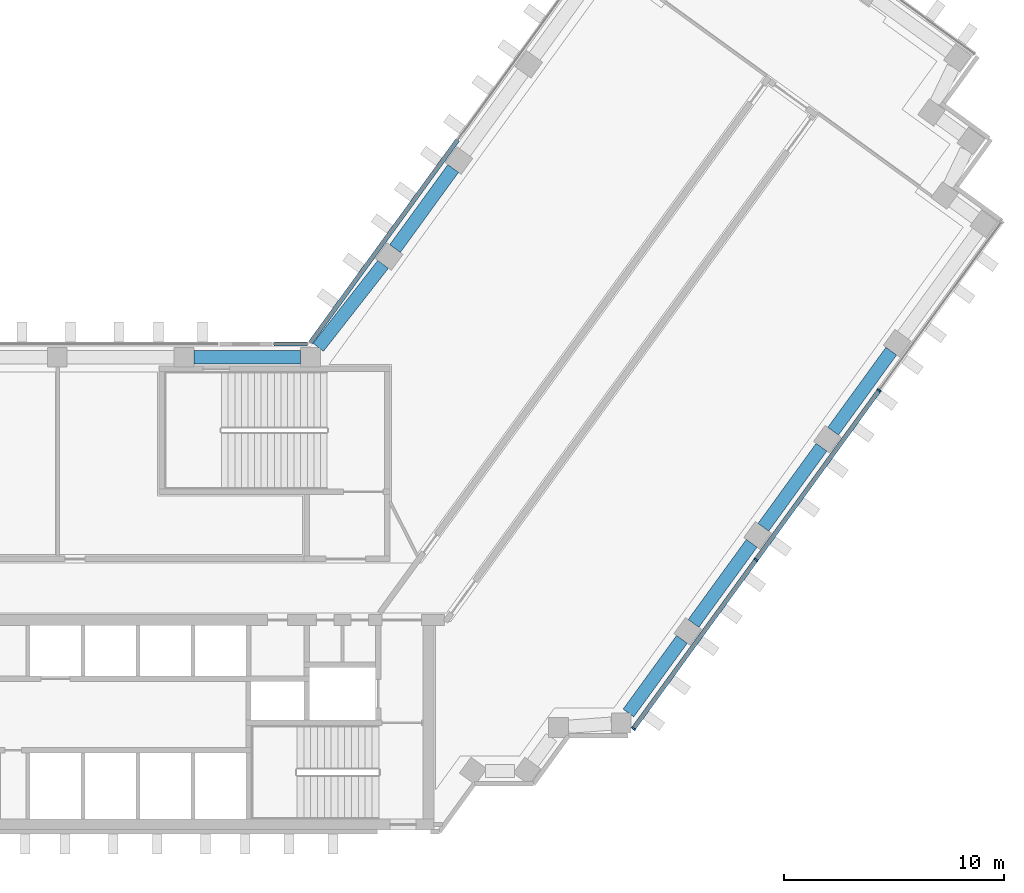
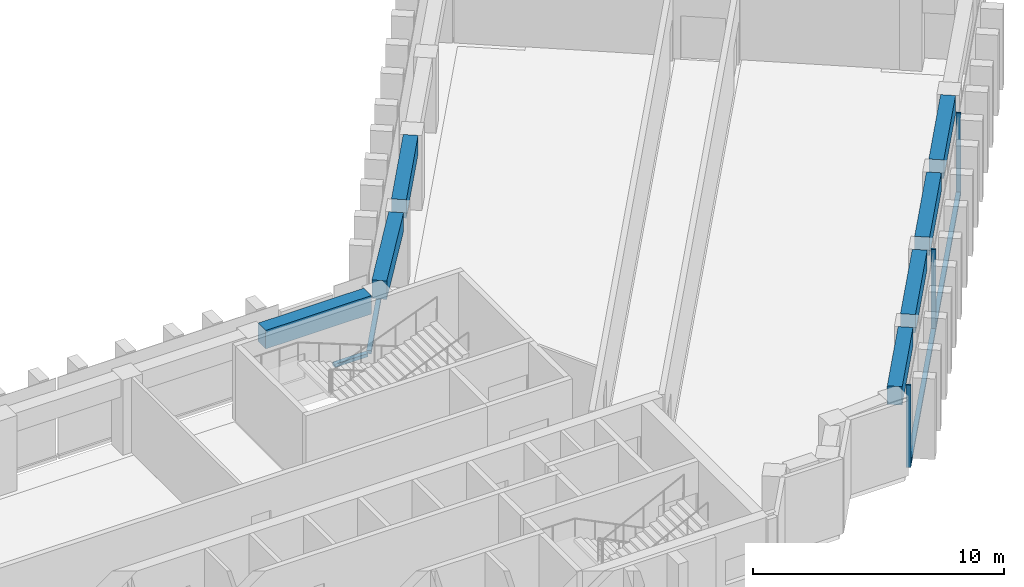
"""IFC4 building model written with IfcOpenShell, lengths in metres."""

from ifc_helpers import new_model, si_unit, direction, frame, origin, origin_2d, place, context, subcontext, project, spatial, rectangle, extrude, material, material_profile, profile_set, type_object, element, aggregate, save


model = new_model("IFC4")

# Units and contexts
model_context = context("Model", 3, precision=1e-05, world=origin(), true_north=direction((0.0, 1.0)))
body_context = subcontext(model_context, "Body", "Model", "MODEL_VIEW")
ifc_project = project(units=[si_unit("LENGTHUNIT", "METRE"), si_unit("AREAUNIT", "SQUARE_METRE"), si_unit("VOLUMEUNIT", "CUBIC_METRE"), si_unit("PLANEANGLEUNIT", "RADIAN"), si_unit("MASSUNIT", "GRAM", prefix="KILO")], contexts=[model_context])

# Site, building, storey
site_placement = place(None, origin())
site = spatial("IfcSite", under=ifc_project, at=site_placement, CompositionType="ELEMENT")
building_placement = place(site_placement, origin())
building = spatial("IfcBuilding", under=site, at=building_placement, Name="Quipu Civic Tower", CompositionType="ELEMENT")
storey_1_placement = place(building_placement, frame((0.0, 0.0, 85.0)))
storey_1 = spatial("IfcBuildingStorey", under=building, at=storey_1_placement, Name="L19", CompositionType="ELEMENT", Elevation=85.0)

# Curtain wall, members
ifc_material_1 = material(Name="Insulated glass unit", Category="glass")
curtain_wall_type = type_object("IfcCurtainWallType", Name="Office curtain wall CW1", PredefinedType="NOTDEFINED", material=ifc_material_1)
curtain_wall_1_placement = place(storey_1_placement, origin())
curtain_wall_1 = element("IfcCurtainWall", 1, at=curtain_wall_1_placement, inside=storey_1, type_object=curtain_wall_type, Name="Office curtain wall CW1 L19 run 1", PredefinedType="NOTDEFINED")
ifc_material_2 = material(Name="Anodised aluminium", Category="aluminium")
ifc_material_profile_1 = material_profile(ifc_material_2, rectangle(XDim=0.199951171875, YDim=0.080078125, at=origin_2d()), Name="RECT 200x80")
ifc_profile_set_1 = profile_set([ifc_material_profile_1], Name="Anodised aluminium")
member_type_1 = type_object("IfcMemberType", Name="Mullion CW1", PredefinedType="MULLION", material=ifc_profile_set_1)
member_1_placement = place(storey_1_placement, frame((29.079345703125, -6.3876953125, 0.080078125), z_axis=(0.0, 0.0, 1.0), x_axis=(-0.809016904652, 0.587785375786, 0.0)))
member_1 = element("IfcMember", 2, at=member_1_placement, type_object=member_type_1, Name="CW1 mullion 1", PredefinedType="MULLION", context=body_context, shape_type="SweptSolid", body=[
    extrude(rectangle(XDim=0.199951171875, YDim=0.080078125, at=origin_2d()), origin(), (0.0, 0.0, 1.0), 4.0),
])
member_2_placement = place(storey_1_placement, frame((34.65380859375, 1.28466796875, 0.080078125), z_axis=(0.0, 0.0, 1.0), x_axis=(-0.809016904652, 0.587785375786, 0.0)))
member_2 = element("IfcMember", 3, at=member_2_placement, type_object=member_type_1, Name="CW1 mullion 2", PredefinedType="MULLION", context=body_context, shape_type="SweptSolid", body=[
    extrude(rectangle(XDim=0.199951171875, YDim=0.080078125, at=origin_2d()), origin(), (0.0, 0.0, 1.0), 4.0),
])
member_3_placement = place(storey_1_placement, frame((40.251708984375, 8.989501953125, 0.080078125), z_axis=(0.0, 0.0, 1.0), x_axis=(-0.809016904652, 0.587785375786, 0.0)))
member_3 = element("IfcMember", 4, at=member_3_placement, type_object=member_type_1, Name="CW1 mullion 3", PredefinedType="MULLION", context=body_context, shape_type="SweptSolid", body=[
    extrude(rectangle(XDim=0.199951171875, YDim=0.080078125, at=origin_2d()), origin(), (0.0, 0.0, 1.0), 4.0),
])

# Beams
ifc_material_3 = material(Name="Concrete C50/60", Category="concrete")
ifc_material_profile_2 = material_profile(ifc_material_3, rectangle(XDim=0.60009765625, YDim=0.89990234375, at=origin_2d()), Name="RC600x900")
ifc_profile_set_2 = profile_set([ifc_material_profile_2], Name="Concrete C50/60")
beam_type = type_object("IfcBeamType", Name="Spandrel beam RC 600x900 C50/60", PredefinedType="SPANDREL", material=ifc_profile_set_2)
beam_1_placement = place(storey_1_placement, frame((28.85205078125, -5.679931640625, 3.199951171875), z_axis=(0.587750565781, 0.809042194464, 0.0), x_axis=(-0.809042194464, 0.587750565781, 0.0)))
element("IfcBeam", 5, at=beam_1_placement, inside=storey_1, type_object=beam_type, Name="Spandrel beam L19 J-Eo.4 to E-OUT-01", PredefinedType="SPANDREL", context=body_context, shape_type="SweptSolid", body=[
    extrude(rectangle(XDim=0.60009765625, YDim=0.89990234375, at=origin_2d()), origin(), (0.0, 0.0, 1.0), 4.13720703125),
])
beam_2_placement = place(storey_1_placement, frame((31.812744140625, -1.604736328125, 3.199951171875), z_axis=(0.587778073121, 0.809022210299, 0.0), x_axis=(-0.809022210299, 0.587778073121, 0.0)))
element("IfcBeam", 6, at=beam_2_placement, inside=storey_1, type_object=beam_type, Name="Spandrel beam L19 E-OUT-01 to E-OUT-02", PredefinedType="SPANDREL", context=body_context, shape_type="SweptSolid", body=[
    extrude(rectangle(XDim=0.60009765625, YDim=0.89990234375, at=origin_2d()), origin(), (0.0, 0.0, 1.0), 4.5),
])
beam_3_placement = place(storey_1_placement, frame((34.98681640625, 2.76416015625, 3.199951171875), z_axis=(0.587803872688, 0.809003465539, 0.0), x_axis=(-0.809003465539, 0.587803872688, 0.0)))
element("IfcBeam", 7, at=beam_3_placement, inside=storey_1, type_object=beam_type, Name="Spandrel beam L19 E-OUT-02 to E-OUT-03", PredefinedType="SPANDREL", context=body_context, shape_type="SweptSolid", body=[
    extrude(rectangle(XDim=0.60009765625, YDim=0.89990234375, at=origin_2d()), origin(), (0.0, 0.0, 1.0), 4.499755859375),
])
for number, where, z_axis, x_axis, name in (
    (8, (38.160888671875, 7.1328125, 3.199951171875), (0.587778073121, 0.809022210299, 0.0), (-0.809022210299, 0.587778073121, 0.0), "Spandrel beam L19 E-OUT-03 to E-OUT-04"),
    (9, (20.8828125, 19.079833984375, 3.199951171875), (-0.587716763865, -0.809066749701, 0.0), (0.809066749701, -0.587716763865, 0.0), "Spandrel beam L19 E-IN-02 to E-IN-01"),
):
    element("IfcBeam", number, at=place(storey_1_placement, frame(where, z_axis=z_axis, x_axis=x_axis)), inside=storey_1, type_object=beam_type, Name=name, PredefinedType="SPANDREL", context=body_context, shape_type="SweptSolid", body=[
        extrude(rectangle(XDim=0.60009765625, YDim=0.89990234375, at=origin_2d()), origin(), (0.0, 0.0, 1.0), 4.5),
    ])
beam_4_placement = place(storey_1_placement, frame((17.6962890625, 14.72021484375, 3.199951171875), z_axis=(-0.616123961998, -0.787649200756, 0.0), x_axis=(0.787649200756, -0.616123961998, 0.0)))
element("IfcBeam", 10, at=beam_4_placement, inside=storey_1, type_object=beam_type, Name="Spandrel beam L19 E-IN-01 to J-Ei.0", PredefinedType="SPANDREL", context=body_context, shape_type="SweptSolid", body=[
    extrude(rectangle(XDim=0.60009765625, YDim=0.89990234375, at=origin_2d()), origin(), (0.0, 0.0, 1.0), 4.78662109375),
])
beam_5_placement = place(storey_1_placement, frame((13.9453125, 10.5, 3.199951171875), z_axis=(-1.0, 0.0, 0.0), x_axis=(0.0, -1.0, 0.0)))
element("IfcBeam", 11, at=beam_5_placement, inside=storey_1, type_object=beam_type, Name="Spandrel beam L19 J-Ei.0 to FRONT-01", PredefinedType="SPANDREL", context=body_context, shape_type="SweptSolid", body=[
    extrude(rectangle(XDim=0.60009765625, YDim=0.89990234375, at=origin_2d()), origin(), (0.0, 0.0, 1.0), 4.858154296875),
])

# Member
ifc_material_4 = material(Name="Anodised aluminium", Category="aluminium")
ifc_material_profile_3 = material_profile(ifc_material_4, rectangle(XDim=0.199951171875, YDim=0.159912109375, at=origin_2d()), Name="RECT 200x160")
ifc_profile_set_3 = profile_set([ifc_material_profile_3], Name="Anodised aluminium")
member_type_2 = type_object("IfcMemberType", Name="Transom CW1", PredefinedType="USERDEFINED", material=ifc_profile_set_3)
member_4_placement = place(storey_1_placement, frame((29.10302734375, -6.35546875, 0.159912109375), z_axis=(0.58777644589, 0.809023392528, 0.0), x_axis=(-0.809023392528, 0.58777644589, 0.0)))
member_4 = element("IfcMember", 12, at=member_4_placement, type_object=member_type_2, Name="CW1 transom 1.1", ObjectType="TRANSOM", PredefinedType="USERDEFINED", context=body_context, shape_type="SweptSolid", body=[
    extrude(rectangle(XDim=0.199951171875, YDim=0.159912109375, at=origin_2d()), origin(), (0.0, 0.0, 1.0), 9.40380859375),
])

member_5_placement = place(storey_1_placement, frame((34.67724609375, 1.317138671875, 0.159912109375), z_axis=(0.587790407593, 0.809013248805, 0.0), x_axis=(-0.809013248805, 0.587790407593, 0.0)))
member_5 = element("IfcMember", 13, at=member_5_placement, type_object=member_type_2, Name="CW1 transom 2.1", ObjectType="TRANSOM", PredefinedType="USERDEFINED", context=body_context, shape_type="SweptSolid", body=[
    extrude(rectangle(XDim=0.199951171875, YDim=0.159912109375, at=origin_2d()), origin(), (0.0, 0.0, 1.0), 9.443359375),
])

aggregate(curtain_wall_1, [member_1, member_2, member_3, member_4, member_5])

# Storey
storey_2_placement = place(building_placement, frame((0.0, 0.0, 89.0)))
storey_2 = spatial("IfcBuildingStorey", under=building, at=storey_2_placement, Name="L20", CompositionType="ELEMENT", Elevation=89.0)

# Curtain wall, member
curtain_wall_2_placement = place(storey_2_placement, origin())
curtain_wall_2 = element("IfcCurtainWall", 14, at=curtain_wall_2_placement, inside=storey_2, type_object=curtain_wall_type, Name="Office curtain wall CW1 L19 run 11", PredefinedType="NOTDEFINED")
member_6_placement = place(storey_1_placement, frame((21.09326171875, 20.38916015625, 0.159912109375), z_axis=(-0.587799878401, -0.809006367683, 0.0), x_axis=(0.809006367683, -0.587799878401, 0.0)))
member_6 = element("IfcMember", 15, at=member_6_placement, inside=storey_1, type_object=member_type_2, Name="CW1 transom 2.1", ObjectType="TRANSOM", PredefinedType="USERDEFINED", context=body_context, shape_type="SweptSolid", body=[
    extrude(rectangle(XDim=0.199951171875, YDim=0.159912109375, at=origin_2d()), origin(), (0.0, 0.0, 1.0), 11.402099609375),
])
aggregate(curtain_wall_2, [member_6])

curtain_wall_3_placement = place(storey_2_placement, origin())
curtain_wall_3 = element("IfcCurtainWall", 16, at=curtain_wall_3_placement, inside=storey_2, type_object=curtain_wall_type, Name="Office curtain wall CW1 L19 run 12", PredefinedType="NOTDEFINED")
member_7_placement = place(storey_1_placement, frame((14.26416015625, 11.10009765625, 0.159912109375), z_axis=(-1.0, 0.0, 0.0), x_axis=(0.0, -1.0, 0.0)))
member_7 = element("IfcMember", 17, at=member_7_placement, inside=storey_1, type_object=member_type_2, Name="CW1 transom 1.1", ObjectType="TRANSOM", PredefinedType="USERDEFINED", context=body_context, shape_type="SweptSolid", body=[
    extrude(rectangle(XDim=0.199951171875, YDim=0.159912109375, at=origin_2d()), origin(), (0.0, 0.0, 1.0), 1.529052734375),
])
aggregate(curtain_wall_3, [member_7])

save(model, "model.ifc")
